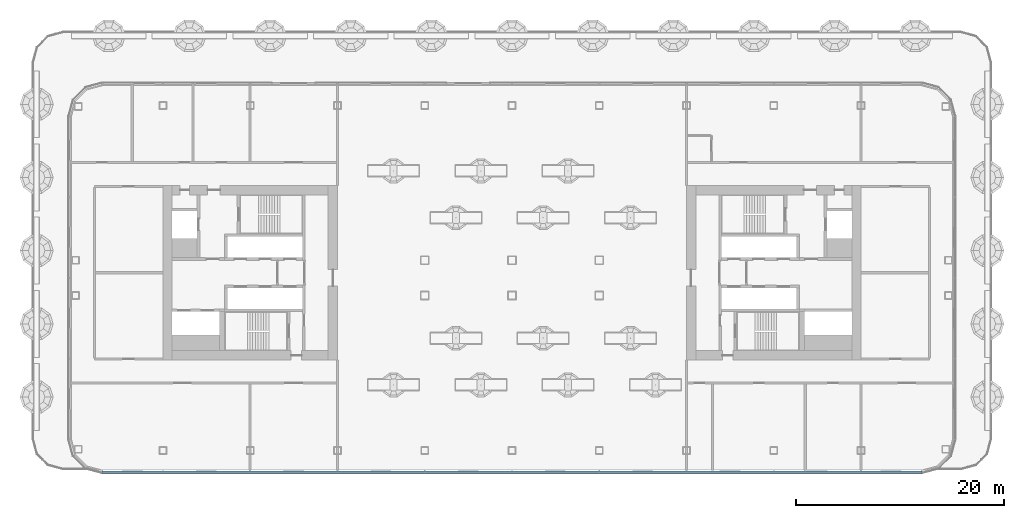
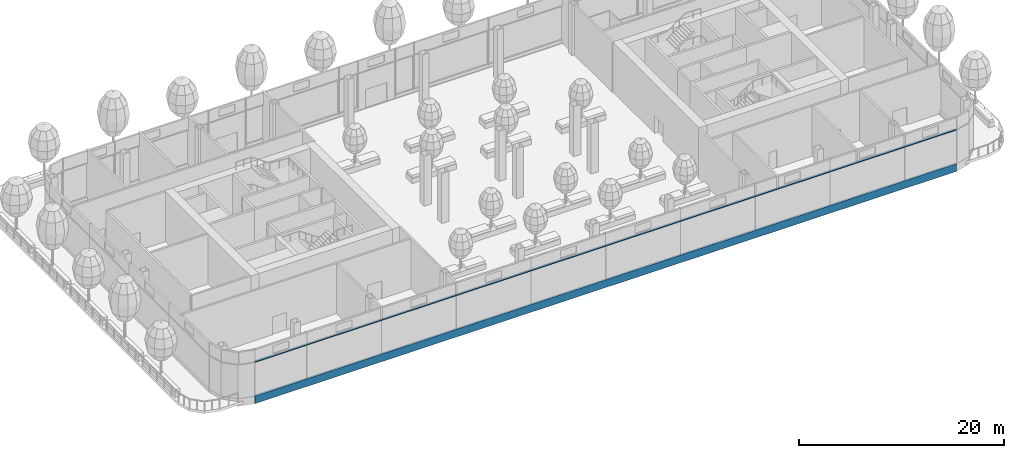
# One storey, part 4 of 43: 2 members, 1 element without a shape of its own.
"""IFC4 building model written with IfcOpenShell, lengths in metres."""

from ifc_helpers import new_model, si_unit, direction, frame, origin, origin_2d, place, context, subcontext, project, spatial, rectangle, extrude, material, layer, layer_set, material_profile, profile_set, type_object, element, aggregate, save


model = new_model("IFC4")

# Units and contexts
model_context = context("Model", 3, precision=1e-05, world=origin(), true_north=direction((0.0, 1.0)))
body_context = subcontext(model_context, "Body", "Model", "MODEL_VIEW")
ifc_project = project(units=[si_unit("LENGTHUNIT", "METRE"), si_unit("AREAUNIT", "SQUARE_METRE"), si_unit("VOLUMEUNIT", "CUBIC_METRE"), si_unit("PLANEANGLEUNIT", "RADIAN"), si_unit("MASSUNIT", "GRAM", prefix="KILO")], contexts=[model_context])

# Site, building, storey
site_placement = place(None, origin())
site = spatial("IfcSite", under=ifc_project, at=site_placement, CompositionType="ELEMENT")
building_placement = place(site_placement, origin())
building = spatial("IfcBuilding", under=site, at=building_placement, Name="Hakoniwa Tower and Hamabe Station Hall", CompositionType="ELEMENT")
storey_placement = place(building_placement, frame((0.0, 0.0, 124.60009765625)))
storey = spatial("IfcBuildingStorey", under=building, at=storey_placement, Name="L35", CompositionType="ELEMENT", Elevation=124.60009765625)

# Curtain wall, members
ifc_material_1 = material(Name="Dark low-e laminated glass", Category="glass")
ifc_layer = layer(ifc_material_1, 0.199951171875)
ifc_layer_set = layer_set([ifc_layer], Name="CW-2 SKY GARDEN")
curtain_wall_type = type_object("IfcCurtainWallType", Name="CW-2 SKY GARDEN", PredefinedType="NOTDEFINED", material=ifc_layer_set)
curtain_wall_placement = place(storey_placement, origin())
curtain_wall = element("IfcCurtainWall", 1, at=curtain_wall_placement, inside=storey, type_object=curtain_wall_type, Name="CW-2 curtain wall", PredefinedType="NOTDEFINED")
ifc_material_2 = material(Name="Aluminium 6063-T5 black anodised", Category="aluminium")
ifc_material_profile_1 = material_profile(ifc_material_2, rectangle(XDim=0.199951171875, YDim=0.1201171875, at=origin_2d()), Name="CW MID TRANSOM 120X200")
ifc_profile_set_1 = profile_set([ifc_material_profile_1], Name="Aluminium 6063-T5 black anodised")
member_type_1 = type_object("IfcMemberType", Name="CW MID TRANSOM 120X200", PredefinedType="USERDEFINED", material=ifc_profile_set_1)
member_1_placement = place(storey_placement, frame((-39.439453125, -19.199951171875, 4.389892578125), z_axis=(1.0, 0.0, 0.0), x_axis=(0.0, 1.0, 0.0)))
member_1 = element("IfcMember", 2, at=member_1_placement, type_object=member_type_1, Name="CW-2 transom", ObjectType="TRANSOM", PredefinedType="USERDEFINED", context=body_context, shape_type="SweptSolid", body=[
    extrude(rectangle(XDim=0.199951171875, YDim=0.1201171875, at=origin_2d()), origin(), (0.0, 0.0, 1.0), 78.87890625),
])
ifc_material_3 = material(Name="Aluminium 6063-T5 black anodised", Category="aluminium")
ifc_material_profile_2 = material_profile(ifc_material_3, rectangle(XDim=0.199951171875, YDim=0.89990234375, at=origin_2d()), Name="CW SLAB-EDGE BAND 900X200")
ifc_profile_set_2 = profile_set([ifc_material_profile_2], Name="Aluminium 6063-T5 black anodised")
member_type_2 = type_object("IfcMemberType", Name="CW SLAB-EDGE BAND 900X200", PredefinedType="USERDEFINED", material=ifc_profile_set_2)
member_2_placement = place(storey_placement, frame((-39.439453125, -19.199951171875, -0.10009765625), z_axis=(1.0, 0.0, 0.0), x_axis=(0.0, 1.0, 0.0)))
member_2 = element("IfcMember", 3, at=member_2_placement, type_object=member_type_2, Name="CW-2 transom", ObjectType="TRANSOM", PredefinedType="USERDEFINED", context=body_context, shape_type="SweptSolid", body=[
    extrude(rectangle(XDim=0.199951171875, YDim=0.89990234375, at=origin_2d()), origin(), (0.0, 0.0, 1.0), 78.87890625),
])
aggregate(curtain_wall, [member_2, member_1])

save(model, "model.ifc")
